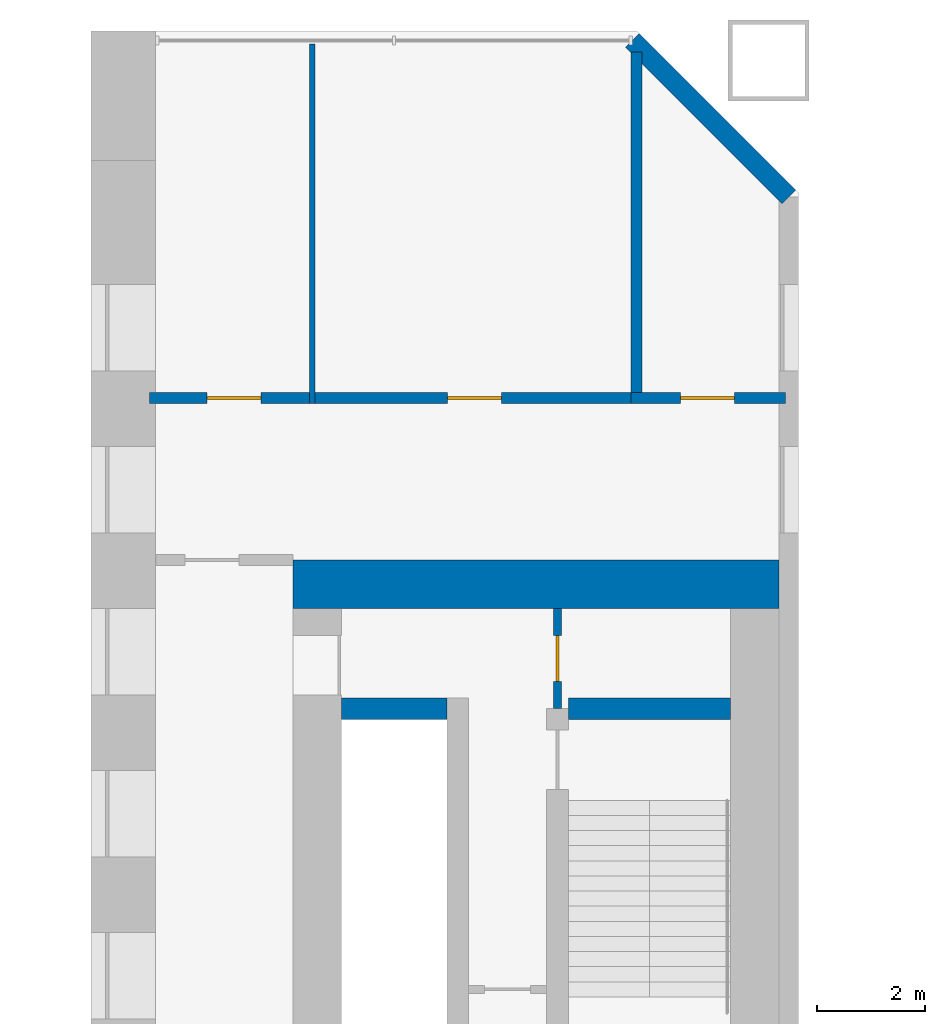
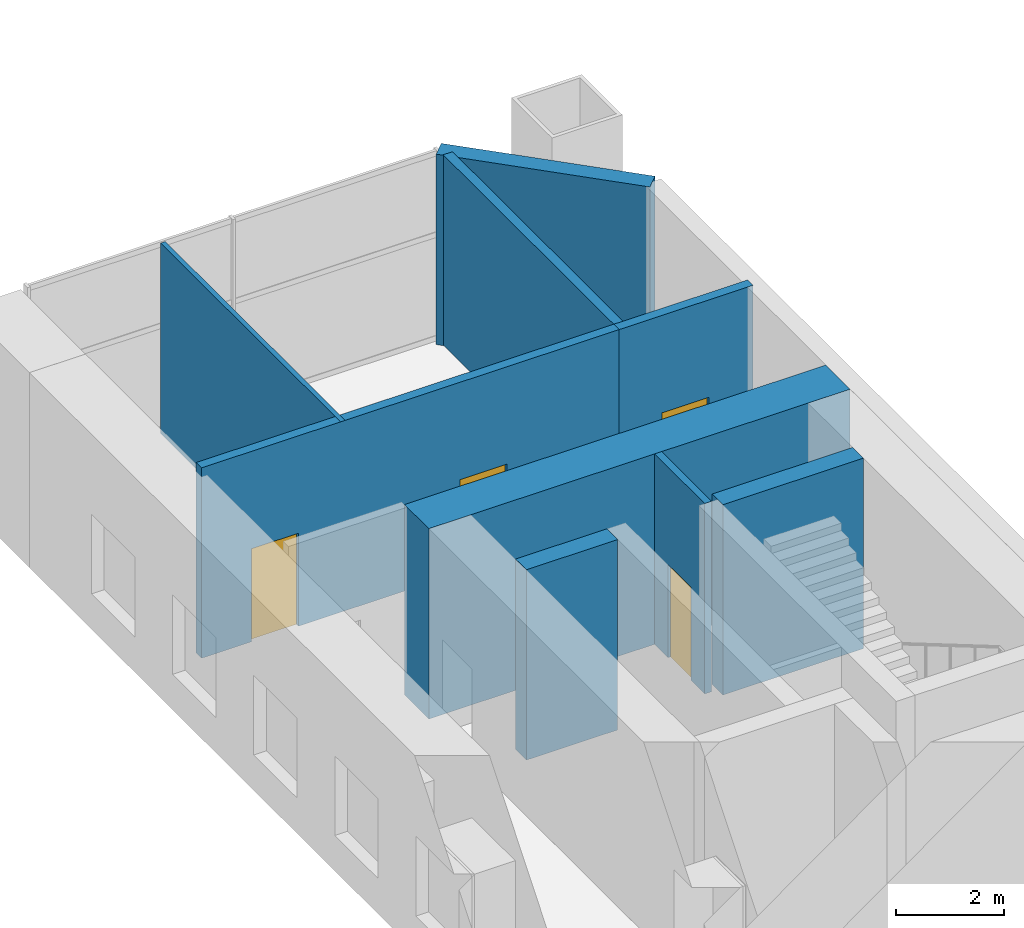
# One storey, part 12 of 19: 9 walls, 4 doors, 4 openings.
"""IFC4 building model written with IfcOpenShell, lengths in metres."""

import ifcopenshell
import ifcopenshell.guid

model = None  # the IFC model being written
_history = None  # IfcOwnerHistory: only IFC2X3 demands one
_inside = {}  # id of a spatial element -> (the spatial element, [elements in it])
_under = {}  # id of a project, library or spatial element -> (it, [spatial elements below it])
_declared = {}  # id of a project -> (the project, [libraries it declares])
_typed = {}  # id of a type object -> (the type object, [elements of that type])
_made_of = {}  # id of a material, layer set ... -> (it, [elements and type objects made of it])


def new_model(schema):
    """Start an empty IFC model of exactly this schema.

    Asked for "IFC4X3", IfcOpenShell would pick the latest addendum, in which some entities
    have other attributes; the version numbers below select the first issue.
    IFC2X3 requires an IfcOwnerHistory on every rooted entity: one is made here for all.
    """
    global model, _history
    if schema == "IFC4X3":
        model = ifcopenshell.file(schema_version=(4, 3, 0, 0))
    else:
        model = ifcopenshell.file(schema=schema)
    _inside.clear()
    _under.clear()
    _declared.clear()
    _typed.clear()
    _made_of.clear()
    _history = None
    if model.schema == "IFC2X3":
        org = make("IfcOrganization", Name="unknown")
        user = make(
            "IfcPersonAndOrganization",
            ThePerson=make("IfcPerson", FamilyName="unknown"),
            TheOrganization=org,
        )
        app = make(
            "IfcApplication",
            ApplicationDeveloper=org,
            Version="unknown",
            ApplicationFullName="unknown",
            ApplicationIdentifier="unknown",
        )
        _history = make(
            "IfcOwnerHistory",
            OwningUser=user,
            OwningApplication=app,
            ChangeAction="ADDED",
            CreationDate=0,
        )
    return model


def make(cls, **values):
    """One entity of the class cls with the attributes given. An attribute that is None is left unset."""
    return model.create_entity(
        cls, **{name: value for name, value in values.items() if value is not None}
    )


def rooted(cls, **values):
    """An entity with a GlobalId (a new one), such as an element, a storey or a relation."""
    return make(cls, GlobalId=ifcopenshell.guid.new(), OwnerHistory=_history, **values)


def si_unit(unit_type, name, prefix=None):
    """IfcSIUnit, for example si_unit("LENGTHUNIT", "METRE", prefix="MILLI")."""
    return make("IfcSIUnit", UnitType=unit_type, Prefix=prefix, Name=name)


def assignment(units):
    """IfcUnitAssignment: the units of a project."""
    return None if units is None else make("IfcUnitAssignment", Units=units)


def point(xyz):
    """IfcCartesianPoint."""
    return None if xyz is None else make("IfcCartesianPoint", Coordinates=xyz)


def direction(xyz):
    """IfcDirection."""
    return None if xyz is None else make("IfcDirection", DirectionRatios=xyz)


def frame(location, z_axis=None, x_axis=None):
    """IfcAxis2Placement3D, a coordinate frame: its origin and axes. An axis left out is left unset."""
    return make(
        "IfcAxis2Placement3D",
        Location=point(location),
        Axis=direction(z_axis),
        RefDirection=direction(x_axis),
    )


def frame_2d(location, x_axis=None):
    """IfcAxis2Placement2D, a coordinate frame in the plane: its origin and x axis."""
    return make(
        "IfcAxis2Placement2D", Location=point(location), RefDirection=direction(x_axis)
    )


def origin():
    """The frame at (0, 0, 0) with its axes left unset."""
    return frame((0.0, 0.0, 0.0))


def place(relative_to, where):
    """IfcLocalPlacement: puts the frame where relative to a parent placement (None: the world)."""
    return make(
        "IfcLocalPlacement", PlacementRelTo=relative_to, RelativePlacement=where
    )


def context(
    kind, dimensions, precision=None, world=None, true_north=None, identifier=None
):
    """IfcGeometricRepresentationContext, for example the 3D "Model" context."""
    return make(
        "IfcGeometricRepresentationContext",
        ContextIdentifier=identifier,
        ContextType=kind,
        CoordinateSpaceDimension=dimensions,
        Precision=precision,
        WorldCoordinateSystem=world,
        TrueNorth=true_north,
    )


def subcontext(parent, identifier, kind, view, scale=None):
    """IfcGeometricRepresentationSubContext, for example "Body" below "Model"."""
    return make(
        "IfcGeometricRepresentationSubContext",
        ContextIdentifier=identifier,
        ContextType=kind,
        ParentContext=parent,
        TargetScale=scale,
        TargetView=view,
    )


def project(units=None, contexts=None):
    """IfcProject with its units and contexts."""
    return rooted(
        "IfcProject",
        Name="project",
        RepresentationContexts=contexts,
        UnitsInContext=assignment(units),
    )


def spatial(cls, under=None, at=None, **own):
    """A site, building, storey or space (cls), placed at a placement, below another one or the project."""
    s = rooted(cls, ObjectPlacement=at, **own)
    if under is not None:
        _under.setdefault(under.id(), (under, []))[1].append(s)
    return s


def profile(cls, at=None, kind="AREA", **sizes):
    """A parametric profile (cls). Its sizes go by their IFC names, for example OverallWidth=200.0."""
    return make(cls, ProfileType=kind, Position=at, **sizes)


def rectangle(**sizes):
    """IfcRectangleProfileDef."""
    return profile("IfcRectangleProfileDef", **sizes)


def extrude(swept, where, along, depth):
    """IfcExtrudedAreaSolid: the profile swept, set in the frame where, extruded along a direction by depth."""
    return make(
        "IfcExtrudedAreaSolid",
        SweptArea=swept,
        Position=where,
        ExtrudedDirection=direction(along),
        Depth=depth,
    )


def shape(context_of_items, identifier, shape_type, items):
    """IfcShapeRepresentation: the items that make up one representation, for example the "Body"."""
    return make(
        "IfcShapeRepresentation",
        ContextOfItems=context_of_items,
        RepresentationIdentifier=identifier,
        RepresentationType=shape_type,
        Items=items,
    )


def material(Name=None, Category=None):
    """IfcMaterial."""
    return make("IfcMaterial", Name=Name, Category=Category)


def layer(
    of_material, thickness, ventilated=None, Name=None, Category=None, Priority=None
):
    """IfcMaterialLayer: one layer of a wall or slab, of a material (None: an air gap)."""
    return make(
        "IfcMaterialLayer",
        Material=of_material,
        LayerThickness=thickness,
        IsVentilated=ventilated,
        Name=Name,
        Category=Category,
        Priority=Priority,
    )


def layer_set(layers, Name=None):
    """IfcMaterialLayerSet."""
    return make("IfcMaterialLayerSet", MaterialLayers=layers, LayerSetName=Name)


def made_of(thing, what):
    """Note that an element or type object is made of a material, layer set ...; save() writes the relation."""
    if what is not None:
        _made_of.setdefault(what.id(), (what, []))[1].append(thing)
    return thing


def type_object(cls, material=None, **own):
    """A type object (cls), such as IfcWallType, which elements share."""
    return made_of(rooted(cls, **own), material)


def element(
    cls,
    number,
    at=None,
    inside=None,
    cuts=None,
    type_object=None,
    material=None,
    context=None,
    identifier="Body",
    shape_type=None,
    held_by="IfcProductDefinitionShape",
    body=None,
    shapes=None,
    **own,
):
    """One element of the class cls, such as IfcWall. Its Tag is "e" and its number.

    at: its placement. inside: the storey or other place that contains it. cuts: it is an
    opening in that element (IfcRelVoidsElement). A single representation is given by context,
    identifier, shape_type and body (its items); several are given by shapes. held_by: the class
    of the entity that holds the representations. save() writes the other relations.
    """
    e = rooted(cls, Tag="e%d" % number, ObjectPlacement=at, **own)
    if body is not None:
        shapes = [shape(context, identifier, shape_type, body)]
    if shapes is not None:
        e.Representation = make(held_by, Representations=shapes)
    if inside is not None:
        _inside.setdefault(inside.id(), (inside, []))[1].append(e)
    if cuts is not None:
        rooted(
            "IfcRelVoidsElement", RelatingBuildingElement=cuts, RelatedOpeningElement=e
        )
    if type_object is not None:
        _typed.setdefault(type_object.id(), (type_object, []))[1].append(e)
    return made_of(e, material)


def fill(opening, filler):
    """IfcRelFillsElement: the door or window that sits in an opening."""
    return rooted(
        "IfcRelFillsElement",
        RelatingOpeningElement=opening,
        RelatedBuildingElement=filler,
    )


def aggregate(whole, parts):
    """IfcRelAggregates: a whole, such as a stair, and the parts it consists of."""
    return rooted("IfcRelAggregates", RelatingObject=whole, RelatedObjects=parts)


def save(model, path):
    """Write the relations noted so far, then the file.

    IfcRelAggregates (storeys below a building ...), IfcRelContainedInSpatialStructure (elements
    in a storey), IfcRelDefinesByType, IfcRelAssociatesMaterial and IfcRelDeclares: one each for
    every whole, place, type object, material and project.
    """
    for whole, parts in _under.values():
        aggregate(whole, parts)
    for where, things in _inside.values():
        rooted(
            "IfcRelContainedInSpatialStructure",
            RelatedElements=things,
            RelatingStructure=where,
        )
    for kind, things in _typed.values():
        rooted("IfcRelDefinesByType", RelatedObjects=things, RelatingType=kind)
    for what, things in _made_of.values():
        rooted("IfcRelAssociatesMaterial", RelatedObjects=things, RelatingMaterial=what)
    for by, libraries in _declared.values():
        rooted("IfcRelDeclares", RelatingContext=by, RelatedDefinitions=libraries)
    model.write(path)


model = new_model("IFC4")

# Units and contexts
model_context = context("Model", 3, precision=1e-05, world=origin(), true_north=direction((0.0, 1.0)))
body_context = subcontext(model_context, "Body", "Model", "MODEL_VIEW")
ifc_project = project(units=[si_unit("LENGTHUNIT", "METRE"), si_unit("AREAUNIT", "SQUARE_METRE"), si_unit("VOLUMEUNIT", "CUBIC_METRE"), si_unit("PLANEANGLEUNIT", "RADIAN"), si_unit("MASSUNIT", "GRAM", prefix="KILO")], contexts=[model_context])

# Site, building, storey
site_placement = place(None, origin())
site = spatial("IfcSite", under=ifc_project, at=site_placement, CompositionType="ELEMENT")
building_placement = place(site_placement, origin())
building = spatial("IfcBuilding", under=site, at=building_placement, Name="Tuart Gate Housing", CompositionType="ELEMENT")
storey_placement = place(building_placement, frame((0.0, 0.0, 10.10009765625)))
storey = spatial("IfcBuildingStorey", under=building, at=storey_placement, Name="L02", CompositionType="ELEMENT", Elevation=10.10009765625)

# Wall
ifc_material_1 = material(Name="Brick", Category="masonry")
ifc_layer_1 = layer(ifc_material_1, 0.360107421875)
ifc_layer_set_1 = layer_set([ifc_layer_1], Name="Brick pier and spandrel wall 360")
wall_type_1 = type_object("IfcWallType", Name="Brick pier and spandrel wall 360", PredefinedType="STANDARD", material=ifc_layer_set_1)
wall_1_placement = place(storey_placement, frame((75.820068359375, 82.92529296875, 0.0), z_axis=(0.0, 0.0, 1.0), x_axis=(-0.707106781187, 0.707106781187, 0.0)))
element("IfcWall", 1, at=wall_1_placement, inside=storey, type_object=wall_type_1, Name="External wall A-NE L02", PredefinedType="STANDARD", context=body_context, shape_type="SweptSolid", body=[
    extrude(rectangle(XDim=4.09375, YDim=0.360107421875, at=frame_2d((2.046875, 0.0))), origin(), (0.0, 0.0, 1.0), 4.2998046875),
])

# Wall, opening, door
ifc_material_2 = material(Name="Plasterboard partition")
ifc_layer_2 = layer(ifc_material_2, 0.14990234375)
ifc_layer_set_2 = layer_set([ifc_layer_2], Name="Core partition 150")
wall_type_2 = type_object("IfcWallType", Name="Core partition 150", PredefinedType="PARTITIONING", material=ifc_layer_set_2)
wall_2_placement = place(storey_placement, frame((71.5400390625, 73.449951171875, 0.0), z_axis=(0.0, 0.0, 1.0), x_axis=(0.0, 1.0, 0.0)))
wall_2 = element("IfcWall", 2, at=wall_2_placement, inside=storey, type_object=wall_type_2, Name="Core partition AG.9", PredefinedType="PARTITIONING", context=body_context, shape_type="SweptSolid", body=[
    extrude(rectangle(XDim=1.85009765625, YDim=0.14990234375, at=frame_2d((0.925048828125, 0.0))), origin(), (0.0, 0.0, 1.0), 4.2998046875),
])
opening_1_placement = place(wall_2_placement, frame((0.5, 0.0, 0.0)))
opening_1 = element("IfcOpeningElement", 3, at=opening_1_placement, cuts=wall_2, Name="Opening D3186", PredefinedType="OPENING", context=body_context, shape_type="SweptSolid", body=[
    extrude(rectangle(XDim=0.85009765625, YDim=2.10009765625, at=frame_2d((0.425048828125, 1.050048828125))), frame((0.0, 0.0849609375, 0.0), z_axis=(0.0, -1.0, 0.0), x_axis=(1.0, 0.0, 0.0)), (0.0, 0.0, 1.0), 0.169921875),
])
ifc_material_3 = material(Name="Steel fire door", Category="steel")
door_type_1 = type_object("IfcDoorType", Name="Service door 850 x 2100 RH", OperationType="SINGLE_SWING_RIGHT", PredefinedType="DOOR", material=ifc_material_3)
door_1_placement = place(opening_1_placement, frame((0.85009765625, 0.0, 0.0), z_axis=(0.0, 0.0, 1.0), x_axis=(-1.0, 0.0, 0.0)))
door_1 = element("IfcDoor", 4, at=door_1_placement, inside=storey, type_object=door_type_1, Name="Service room door AG.ST", OperationType="SINGLE_SWING_RIGHT", OverallHeight=2.10009765625, OverallWidth=0.85009765625, PredefinedType="DOOR", context=body_context, shape_type="SweptSolid", body=[
    extrude(rectangle(XDim=0.85009765625, YDim=2.10009765625, at=frame_2d((0.425048828125, 1.050048828125))), frame((0.0, 0.025146484375, 0.0), z_axis=(0.0, -1.0, 0.0), x_axis=(1.0, 0.0, 0.0)), (0.0, 0.0, 1.0), 0.050048828125),
])
fill(opening_1, door_1)

# Walls
ifc_material_4 = material(Name="Concrete C60", Category="concrete")
ifc_layer_3 = layer(ifc_material_4, 0.39990234375)
ifc_layer_set_3 = layer_set([ifc_layer_3], Name="Core wall 400 C60")
wall_type_3 = type_object("IfcWallType", Name="Core wall 400 C60", PredefinedType="SHEAR", material=ifc_layer_set_3)
wall_3_placement = place(storey_placement, frame((67.5400390625, 73.449951171875, 0.0), z_axis=(0.0, 0.0, 1.0), x_axis=(1.0, 0.0, 0.0)))
element("IfcWall", 5, at=wall_3_placement, inside=storey, type_object=wall_type_3, Name="Core wall AG.4", PredefinedType="SHEAR", context=body_context, shape_type="SweptSolid", body=[
    extrude(rectangle(XDim=1.949951171875, YDim=0.39990234375, at=frame_2d((0.97509765625, 0.0))), origin(), (0.0, 0.0, 1.0), 4.2998046875),
])
wall_4_placement = place(storey_placement, frame((71.739990234375, 73.449951171875, 0.0), z_axis=(0.0, 0.0, 1.0), x_axis=(1.0, 0.0, 0.0)))
element("IfcWall", 6, at=wall_4_placement, inside=storey, type_object=wall_type_3, Name="Core wall AG.5", PredefinedType="SHEAR", context=body_context, shape_type="SweptSolid", body=[
    extrude(rectangle(XDim=3.0, YDim=0.39990234375, at=frame_2d((1.5, 0.0))), origin(), (0.0, 0.0, 1.0), 4.2998046875),
])
ifc_material_5 = material(Name="Concrete C60", Category="concrete")
ifc_layer_4 = layer(ifc_material_5, 0.89990234375)
ifc_layer_set_4 = layer_set([ifc_layer_4], Name="Core wall 900 C60")
wall_type_4 = type_object("IfcWallType", Name="Core wall 900 C60", PredefinedType="SHEAR", material=ifc_layer_set_4)
wall_5_placement = place(storey_placement, frame((66.639892578125, 75.75, 0.0), z_axis=(0.0, 0.0, 1.0), x_axis=(1.0, 0.0, 0.0)))
element("IfcWall", 7, at=wall_5_placement, inside=storey, type_object=wall_type_4, Name="Core wall AG north", PredefinedType="SHEAR", context=body_context, shape_type="SweptSolid", body=[
    extrude(rectangle(XDim=9.0, YDim=0.89990234375, at=frame_2d((4.5, 0.0))), origin(), (0.0, 0.0, 1.0), 4.2998046875),
])

# Wall, openings, doors
ifc_material_6 = material(Name="Concrete masonry 15 MPa", Category="masonry")
ifc_layer_5 = layer(ifc_material_6, 0.199951171875)
ifc_layer_set_5 = layer_set([ifc_layer_5], Name="Corridor wall masonry 200")
wall_type_5 = type_object("IfcWallType", Name="Corridor wall masonry 200", PredefinedType="PARTITIONING", material=ifc_layer_set_5)
wall_6_placement = place(storey_placement, frame((63.97998046875, 79.199951171875, 0.0), z_axis=(0.0, 0.0, 1.0), x_axis=(1.0, 0.0, 0.0)))
wall_6 = element("IfcWall", 8, at=wall_6_placement, inside=storey, type_object=wall_type_5, Name="Corridor wall masonry 200", PredefinedType="PARTITIONING", context=body_context, shape_type="SweptSolid", body=[
    extrude(rectangle(XDim=9.1201171875, YDim=0.199951171875, at=frame_2d((4.56005859375, 0.0))), origin(), (0.0, 0.0, 1.0), 4.2998046875),
])
opening_2_placement = place(wall_6_placement, frame((1.070068359375, 0.0, 0.0)))
opening_2 = element("IfcOpeningElement", 9, at=opening_2_placement, cuts=wall_6, Name="Opening D3180", PredefinedType="OPENING", context=body_context, shape_type="SweptSolid", body=[
    extrude(rectangle(XDim=1.0, YDim=2.10009765625, at=frame_2d((0.5, 1.050048828125))), frame((0.0, 0.10986328125, 0.0), z_axis=(0.0, -1.0, 0.0), x_axis=(1.0, 0.0, 0.0)), (0.0, 0.0, 1.0), 0.219970703125),
])
opening_3_placement = place(wall_6_placement, frame((5.52001953125, 0.0, 0.0)))
opening_3 = element("IfcOpeningElement", 10, at=opening_3_placement, cuts=wall_6, Name="Opening D3181", PredefinedType="OPENING", context=body_context, shape_type="SweptSolid", body=[
    extrude(rectangle(XDim=1.0, YDim=2.10009765625, at=frame_2d((0.5, 1.050048828125))), frame((0.0, 0.10986328125, 0.0), z_axis=(0.0, -1.0, 0.0), x_axis=(1.0, 0.0, 0.0)), (0.0, 0.0, 1.0), 0.219970703125),
])
ifc_material_7 = material(Name="Timber door leaf in steel frame", Category="steel")
door_type_2 = type_object("IfcDoorType", Name="Fire door 1000", OperationType="SINGLE_SWING_LEFT", PredefinedType="DOOR", material=ifc_material_7)
door_2_placement = place(opening_2_placement, origin())
door_2 = element("IfcDoor", 11, at=door_2_placement, inside=storey, type_object=door_type_2, Name="Fire door 1000", OperationType="SINGLE_SWING_LEFT", OverallHeight=2.10009765625, OverallWidth=1.0, PredefinedType="DOOR", context=body_context, shape_type="SweptSolid", body=[
    extrude(rectangle(XDim=1.0, YDim=2.10009765625, at=frame_2d((0.5, 1.050048828125))), frame((0.0, 0.02490234375, 0.0), z_axis=(0.0, -1.0, 0.0), x_axis=(1.0, 0.0, 0.0)), (0.0, 0.0, 1.0), 0.050048828125),
])
fill(opening_2, door_2)
door_3_placement = place(opening_3_placement, origin())
door_3 = element("IfcDoor", 12, at=door_3_placement, inside=storey, type_object=door_type_2, Name="Fire door 1000", OperationType="SINGLE_SWING_LEFT", OverallHeight=2.10009765625, OverallWidth=1.0, PredefinedType="DOOR", context=body_context, shape_type="SweptSolid", body=[
    extrude(rectangle(XDim=1.0, YDim=2.10009765625, at=frame_2d((0.5, 1.050048828125))), frame((0.0, 0.02490234375, 0.0), z_axis=(0.0, -1.0, 0.0), x_axis=(1.0, 0.0, 0.0)), (0.0, 0.0, 1.0), 0.050048828125),
])
fill(opening_3, door_3)

# Wall, opening, door
ifc_material_8 = material(Name="Concrete masonry 15 MPa", Category="masonry")
ifc_layer_6 = layer(ifc_material_8, 0.199951171875)
ifc_layer_set_6 = layer_set([ifc_layer_6], Name="Enclosure wall masonry 200")
wall_type_6 = type_object("IfcWallType", Name="Enclosure wall masonry 200", PredefinedType="PARTITIONING", material=ifc_layer_set_6)
wall_7_placement = place(storey_placement, frame((72.89990234375, 79.199951171875, 0.0), z_axis=(0.0, 0.0, 1.0), x_axis=(1.0, 0.0, 0.0)))
wall_7 = element("IfcWall", 13, at=wall_7_placement, inside=storey, type_object=wall_type_6, Name="Enclosure wall masonry 200", PredefinedType="PARTITIONING", context=body_context, shape_type="SweptSolid", body=[
    extrude(rectangle(XDim=2.860107421875, YDim=0.199951171875, at=frame_2d((1.43017578125, 0.0))), origin(), (0.0, 0.0, 1.0), 4.2998046875),
])
opening_4_placement = place(wall_7_placement, frame((0.919921875, 0.0, 0.0)))
opening_4 = element("IfcOpeningElement", 14, at=opening_4_placement, cuts=wall_7, Name="Opening D3182", PredefinedType="OPENING", context=body_context, shape_type="SweptSolid", body=[
    extrude(rectangle(XDim=1.0, YDim=2.10009765625, at=frame_2d((0.5, 1.050048828125))), frame((0.0, 0.10986328125, 0.0), z_axis=(0.0, -1.0, 0.0), x_axis=(1.0, 0.0, 0.0)), (0.0, 0.0, 1.0), 0.219970703125),
])
door_4_placement = place(opening_4_placement, origin())
door_4 = element("IfcDoor", 15, at=door_4_placement, inside=storey, type_object=door_type_2, Name="Fire door 1000", OperationType="SINGLE_SWING_LEFT", OverallHeight=2.10009765625, OverallWidth=1.0, PredefinedType="DOOR", context=body_context, shape_type="SweptSolid", body=[
    extrude(rectangle(XDim=1.0, YDim=2.10009765625, at=frame_2d((0.5, 1.050048828125))), frame((0.0, 0.02490234375, 0.0), z_axis=(0.0, -1.0, 0.0), x_axis=(1.0, 0.0, 0.0)), (0.0, 0.0, 1.0), 0.050048828125),
])
fill(opening_4, door_4)

# Walls
wall_8_placement = place(storey_placement, frame((73.0, 79.10009765625, 0.0), z_axis=(0.0, 0.0, 1.0), x_axis=(0.0, 1.0, 0.0)))
element("IfcWall", 16, at=wall_8_placement, inside=storey, type_object=wall_type_6, Name="Enclosure wall masonry 200", PredefinedType="PARTITIONING", context=body_context, shape_type="SweptSolid", body=[
    extrude(rectangle(XDim=6.510986328125, YDim=0.199951171875, at=frame_2d((3.25537109375, 0.0))), origin(), (0.0, 0.0, 1.0), 4.2998046875),
])
ifc_material_9 = material(Name="Gypsum board on steel studs", Category="steel")
ifc_layer_7 = layer(ifc_material_9, 0.10009765625)
ifc_layer_set_7 = layer_set([ifc_layer_7], Name="Partition 100")
wall_type_7 = type_object("IfcWallType", Name="Partition 100", PredefinedType="PARTITIONING", material=ifc_layer_set_7)
wall_9_placement = place(storey_placement, frame((67.0, 79.10009765625, 0.0), z_axis=(0.0, 0.0, 1.0), x_axis=(0.0, 1.0, 0.0)))
element("IfcWall", 17, at=wall_9_placement, inside=storey, type_object=wall_type_7, Name="Partition 100", PredefinedType="PARTITIONING", context=body_context, shape_type="SweptSolid", body=[
    extrude(rectangle(XDim=6.659912109375, YDim=0.10009765625, at=frame_2d((3.330078125, 0.0))), origin(), (0.0, 0.0, 1.0), 4.2998046875),
])

save(model, "model.ifc")
